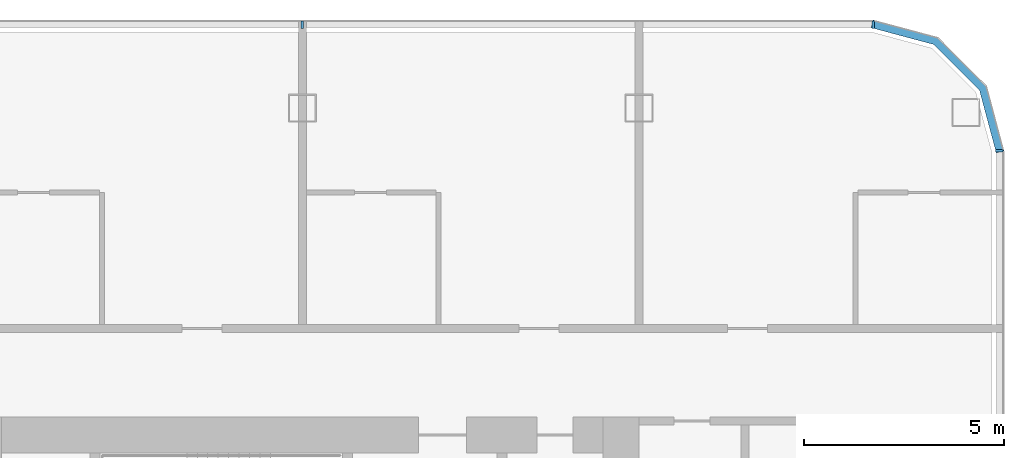
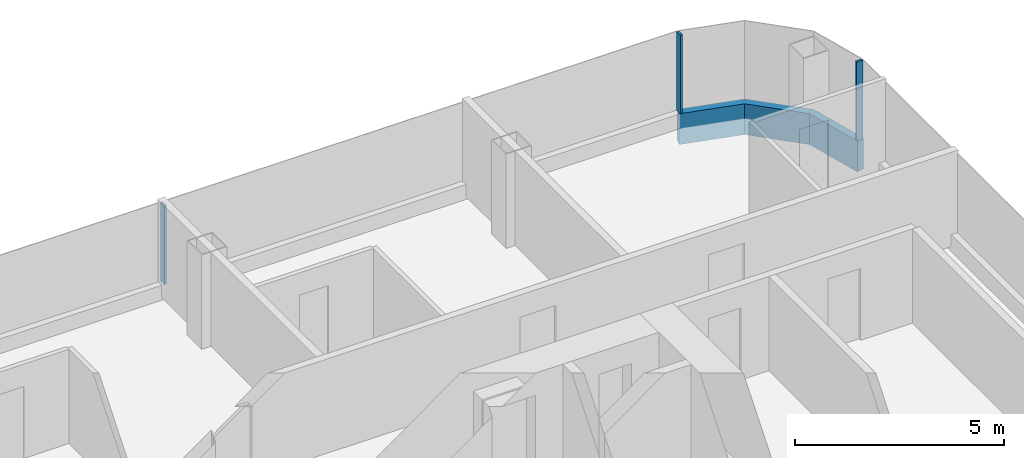
# One storey, part 10 of 26: 4 members, 3 elements without a shape of their own.
"""IFC4 building model written with IfcOpenShell, lengths in metres."""

from ifc_helpers import new_model, si_unit, direction, frame, origin, origin_2d, place, context, subcontext, project, spatial, polyline, rectangle, outline, extrude, material, layer, layer_set, material_profile, profile_set, type_object, element, aggregate, save


model = new_model("IFC4")

# Units and contexts
model_context = context("Model", 3, precision=1e-05, world=origin(), true_north=direction((0.0, 1.0)))
body_context = subcontext(model_context, "Body", "Model", "MODEL_VIEW")
ifc_project = project(units=[si_unit("LENGTHUNIT", "METRE"), si_unit("AREAUNIT", "SQUARE_METRE"), si_unit("VOLUMEUNIT", "CUBIC_METRE"), si_unit("PLANEANGLEUNIT", "RADIAN"), si_unit("MASSUNIT", "GRAM", prefix="KILO")], contexts=[model_context])

# Site, building, storey
site_placement = place(None, origin())
site = spatial("IfcSite", under=ifc_project, at=site_placement, CompositionType="ELEMENT")
building_placement = place(site_placement, origin())
building = spatial("IfcBuilding", under=site, at=building_placement, Name="Hakoniwa Tower and Hamabe Station Hall", CompositionType="ELEMENT")
storey_placement = place(building_placement, frame((0.0, 0.0, 143.800048828125)))
storey = spatial("IfcBuildingStorey", under=building, at=storey_placement, Name="L40", CompositionType="ELEMENT", Elevation=143.800048828125)

# Curtain wall, member
ifc_material_1 = material(Name="Dark low-e laminated glass", Category="glass")
ifc_layer = layer(ifc_material_1, 0.199951171875)
ifc_layer_set = layer_set([ifc_layer], Name="CW-1 UNITISED GUEST")
curtain_wall_type = type_object("IfcCurtainWallType", Name="CW-1 UNITISED GUEST", PredefinedType="NOTDEFINED", material=ifc_layer_set)
curtain_wall_1_placement = place(storey_placement, origin())
curtain_wall_1 = element("IfcCurtainWall", 1, at=curtain_wall_1_placement, inside=storey, type_object=curtain_wall_type, Name="CW-1 curtain wall", PredefinedType="NOTDEFINED")
ifc_material_2 = material(Name="Aluminium 6063-T5 black anodised", Category="aluminium")
ifc_material_profile_1 = material_profile(ifc_material_2, rectangle(XDim=0.199951171875, YDim=0.89990234375, at=origin_2d()), Name="CW SLAB-EDGE BAND 900X200")
ifc_profile_set_1 = profile_set([ifc_material_profile_1], Name="Aluminium 6063-T5 black anodised")
member_type_1 = type_object("IfcMemberType", Name="CW SLAB-EDGE BAND 900X200", PredefinedType="USERDEFINED", material=ifc_profile_set_1)
member_1_placement = place(storey_placement, frame((0.0, 0.0, -0.550048828125)))
member_1 = element("IfcMember", 2, at=member_1_placement, type_object=member_type_1, Name="CW-1 transom", ObjectType="TRANSOM", PredefinedType="USERDEFINED", context=body_context, shape_type="SweptSolid", body=[
    extrude(outline(polyline([(42.699951171875, 15.03955078125), (42.26708984375, 16.6552734375), (41.05517578125, 17.866943359375), (39.439453125, 18.300048828125), (39.3876953125, 18.10693359375), (40.95166015625, 17.687744140625), (42.087646484375, 16.5517578125), (42.5068359375, 14.98779296875), (42.699951171875, 15.03955078125)])), origin(), (0.0, 0.0, 1.0), 0.89990234375),
])
aggregate(curtain_wall_1, [member_1])

curtain_wall_2_placement = place(storey_placement, origin())
curtain_wall_2 = element("IfcCurtainWall", 3, at=curtain_wall_2_placement, inside=storey, type_object=curtain_wall_type, Name="CW-1 curtain wall", PredefinedType="NOTDEFINED")
ifc_material_3 = material(Name="Aluminium 6063-T5 black anodised", Category="aluminium")
ifc_material_profile_2 = material_profile(ifc_material_3, rectangle(XDim=0.06005859375, YDim=0.179931640625, at=origin_2d()), Name="CW-1 MULLION 60X180")
ifc_profile_set_2 = profile_set([ifc_material_profile_2], Name="Aluminium 6063-T5 black anodised")
member_type_2 = type_object("IfcMemberType", Name="CW-1 MULLION 60X180", PredefinedType="MULLION", material=ifc_profile_set_2)
member_2_placement = place(storey_placement, frame((42.58203125, 15.03955078125, 0.349853515625), z_axis=(0.0, 0.0, 1.0), x_axis=(0.0, 1.0, 0.0)))
member_2 = element("IfcMember", 4, at=member_2_placement, type_object=member_type_2, Name="CW-1 mullion", PredefinedType="MULLION", context=body_context, shape_type="SweptSolid", body=[
    extrude(rectangle(XDim=0.06005859375, YDim=0.179931640625, at=origin_2d()), origin(), (0.0, 0.0, 1.0), 2.300048828125),
])
aggregate(curtain_wall_2, [member_2])

# Curtain wall, members
curtain_wall_3_placement = place(storey_placement, origin())
curtain_wall_3 = element("IfcCurtainWall", 5, at=curtain_wall_3_placement, inside=storey, type_object=curtain_wall_type, Name="CW-1 curtain wall", PredefinedType="NOTDEFINED")
member_3_placement = place(storey_placement, frame((39.439453125, 18.181884765625, 0.349853515625), z_axis=(0.0, 0.0, 1.0), x_axis=(-1.0, 0.0, 0.0)))
member_3 = element("IfcMember", 6, at=member_3_placement, type_object=member_type_2, Name="CW-1 mullion", PredefinedType="MULLION", context=body_context, shape_type="SweptSolid", body=[
    extrude(rectangle(XDim=0.06005859375, YDim=0.179931640625, at=origin_2d()), origin(), (0.0, 0.0, 1.0), 2.300048828125),
])
member_4_placement = place(storey_placement, frame((25.199951171875, 18.181884765625, 0.349853515625), z_axis=(0.0, 0.0, 1.0), x_axis=(-1.0, 0.0, 0.0)))
member_4 = element("IfcMember", 7, at=member_4_placement, type_object=member_type_2, Name="CW-1 mullion", PredefinedType="MULLION", context=body_context, shape_type="SweptSolid", body=[
    extrude(rectangle(XDim=0.06005859375, YDim=0.179931640625, at=origin_2d()), origin(), (0.0, 0.0, 1.0), 2.300048828125),
])
aggregate(curtain_wall_3, [member_3, member_4])

save(model, "model.ifc")
